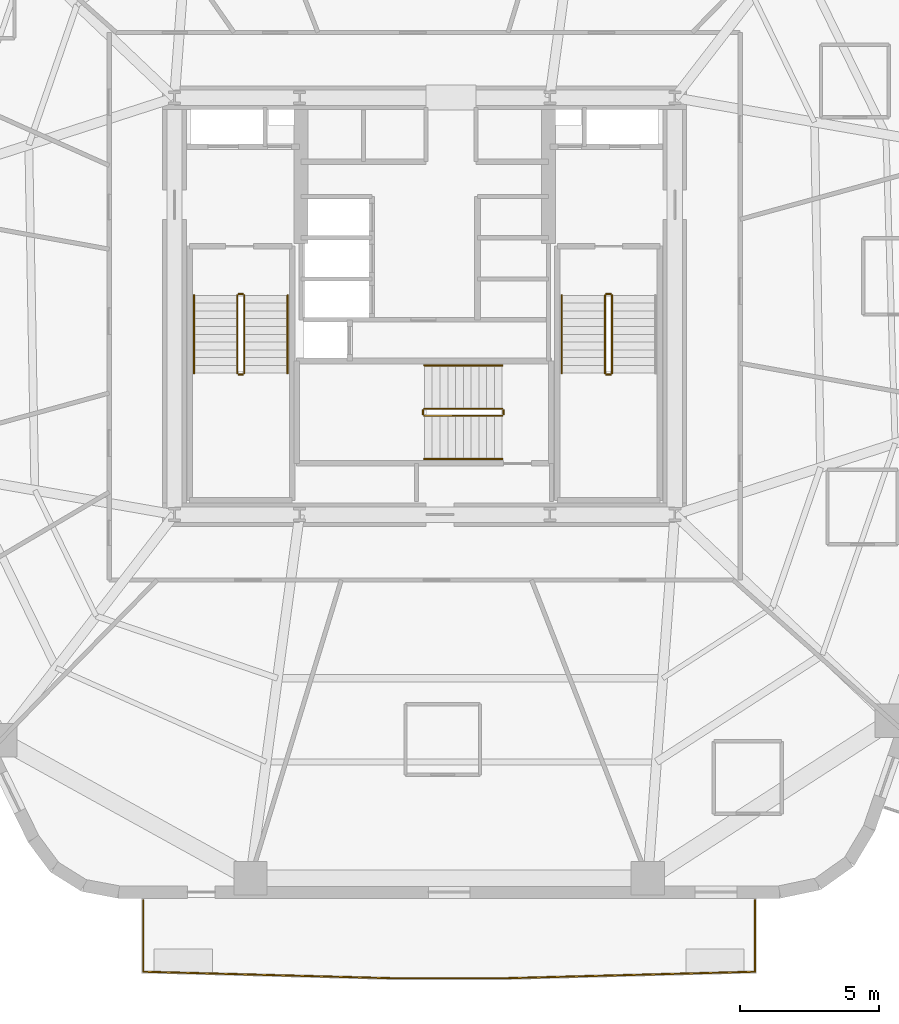
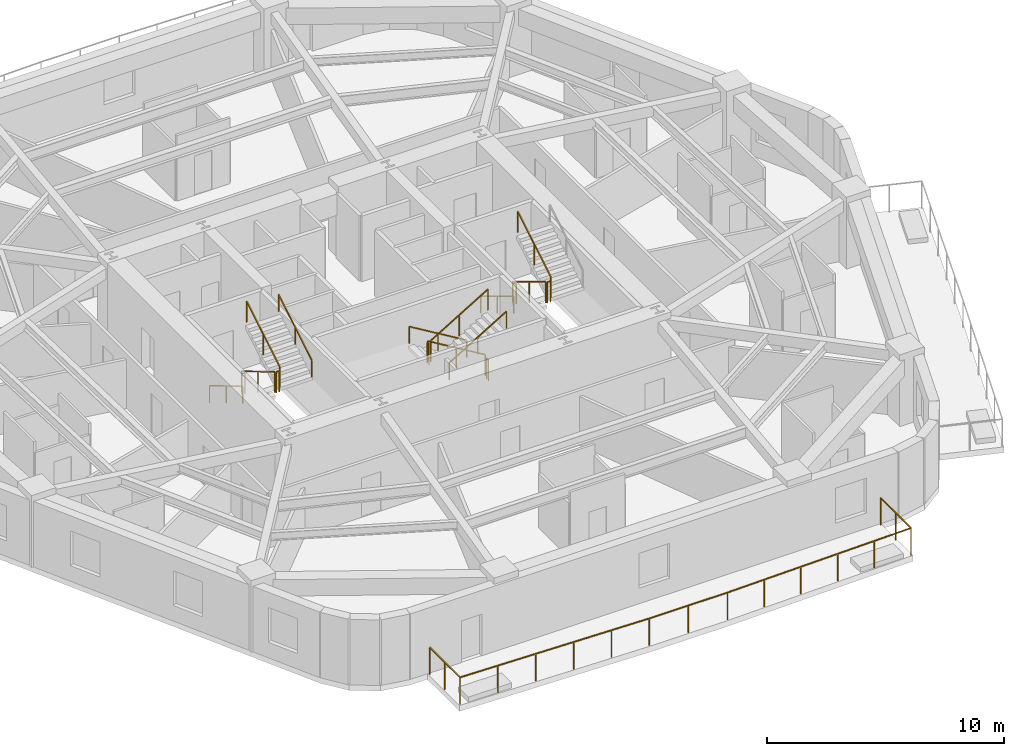
# One storey, part 7 of 8: 18 railings.
"""IFC4 building model written with IfcOpenShell, lengths in metres."""

from ifc_helpers import new_model, si_unit, direction, frame, origin, origin_2d, place, context, subcontext, project, spatial, rectangle, extrude, material, layer, layer_set, type_object, element, save


model = new_model("IFC4")

# Units and contexts
model_context = context("Model", 3, precision=1e-05, world=origin(), true_north=direction((0.0, 1.0)))
body_context = subcontext(model_context, "Body", "Model", "MODEL_VIEW")
ifc_project = project(units=[si_unit("LENGTHUNIT", "METRE"), si_unit("AREAUNIT", "SQUARE_METRE"), si_unit("VOLUMEUNIT", "CUBIC_METRE"), si_unit("PLANEANGLEUNIT", "RADIAN"), si_unit("MASSUNIT", "GRAM", prefix="KILO")], contexts=[model_context])

# Site, building, storey
site_placement = place(None, origin())
site = spatial("IfcSite", under=ifc_project, at=site_placement, CompositionType="ELEMENT")
building_placement = place(site_placement, origin())
building = spatial("IfcBuilding", under=site, at=building_placement, Name="Kilnhurst Terrace Hotel", CompositionType="ELEMENT")
storey_placement = place(building_placement, frame((0.0, 0.0, 135.800048828125)))
storey = spatial("IfcBuildingStorey", under=building, at=storey_placement, Name="L33", CompositionType="ELEMENT", Elevation=135.800048828125)

# Railings
ifc_material_1 = material(Name="Laminated SentryGlas and Stainless Steel AISI 316L Balustrade", Category="steel")
ifc_layer_1 = layer(ifc_material_1, 0.070068359375, Name="Laminated SentryGlas and Stainless Steel AISI 316L Balustrade")
ifc_layer_set_1 = layer_set([ifc_layer_1], Name="Laminated SentryGlas and Stainless Steel AISI 316L Balustrade")
railing_type_1 = type_object("IfcRailingType", Name="RLG-BAL-1420", PredefinedType="BALUSTRADE", material=ifc_layer_set_1)
railing_1_placement = place(storey_placement, frame((11.8837890625, -21.3798828125, 0.0)))
element("IfcRailing", 1, at=railing_1_placement, inside=storey, type_object=railing_type_1, Name="L33 Exterior Terrace Guardrail BAL-L1A.1", PredefinedType="BALUSTRADE", context=body_context, shape_type="SweptSolid", body=[
    extrude(rectangle(XDim=0.048095703125, YDim=0.048095703125, at=origin_2d()), frame((0.0, 0.0, 1.39599609375), z_axis=(0.0, -1.0, 0.0), x_axis=(1.0, 0.0, 0.0)), (0.0, 0.0, 1.0), 2.561767578125),
    extrude(rectangle(XDim=0.048095703125, YDim=0.048095703125, at=origin_2d()), frame((0.0, -2.561767578125, 1.39599609375), z_axis=(-0.999657105501, -0.026185328367, 0.0), x_axis=(0.026185328367, -0.999657105501, 0.0)), (0.0, 0.0, 1.0), 9.099853515625),
    extrude(rectangle(XDim=0.048095703125, YDim=0.048095703125, at=origin_2d()), frame((-9.0966796875, -2.800048828125, 1.39599609375), z_axis=(-1.0, 0.0, 0.0), x_axis=(0.0, -1.0, 0.0)), (0.0, 0.0, 1.0), 3.8134765625),
    extrude(rectangle(XDim=0.048095703125, YDim=0.048095703125, at=origin_2d()), frame((-12.91015625, -2.800048828125, 1.39599609375), z_axis=(-0.999657105501, 0.026185328367, 0.0), x_axis=(-0.026185328367, -0.999657105501, 0.0)), (0.0, 0.0, 1.0), 9.099853515625),
    extrude(rectangle(XDim=0.048095703125, YDim=0.048095703125, at=origin_2d()), frame((-22.0068359375, -2.561767578125, 1.39599609375), z_axis=(0.0, 1.0, 0.0), x_axis=(-1.0, 0.0, 0.0)), (0.0, 0.0, 1.0), 2.561767578125),
    extrude(rectangle(XDim=0.0419921875, YDim=0.0419921875, at=origin_2d()), origin(), (0.0, 0.0, 1.0), 1.371826171875),
    extrude(rectangle(XDim=0.0419921875, YDim=0.0419921875, at=origin_2d()), frame((0.0, -1.28076171875, 0.0)), (0.0, 0.0, 1.0), 1.371826171875),
    extrude(rectangle(XDim=0.0419921875, YDim=0.0419921875, at=origin_2d()), frame((0.0, -2.561767578125, 0.0)), (0.0, 0.0, 1.0), 1.371826171875),
    extrude(rectangle(XDim=0.0419921875, YDim=0.0419921875, at=origin_2d()), frame((-1.8193359375, -2.609375, 0.0)), (0.0, 0.0, 1.0), 1.371826171875),
    extrude(rectangle(XDim=0.0419921875, YDim=0.0419921875, at=origin_2d()), frame((-3.638671875, -2.656982421875, 0.0)), (0.0, 0.0, 1.0), 1.371826171875),
    extrude(rectangle(XDim=0.0419921875, YDim=0.0419921875, at=origin_2d()), frame((-5.4580078125, -2.704833984375, 0.0)), (0.0, 0.0, 1.0), 1.371826171875),
    extrude(rectangle(XDim=0.0419921875, YDim=0.0419921875, at=origin_2d()), frame((-7.27734375, -2.75244140625, 0.0)), (0.0, 0.0, 1.0), 1.371826171875),
    extrude(rectangle(XDim=0.0419921875, YDim=0.0419921875, at=origin_2d()), frame((-9.0966796875, -2.800048828125, 0.0)), (0.0, 0.0, 1.0), 1.371826171875),
    extrude(rectangle(XDim=0.0419921875, YDim=0.0419921875, at=origin_2d()), frame((-11.00341796875, -2.800048828125, 0.0)), (0.0, 0.0, 1.0), 1.371826171875),
    extrude(rectangle(XDim=0.0419921875, YDim=0.0419921875, at=origin_2d()), frame((-12.91015625, -2.800048828125, 0.0)), (0.0, 0.0, 1.0), 1.371826171875),
    extrude(rectangle(XDim=0.0419921875, YDim=0.0419921875, at=origin_2d()), frame((-14.7294921875, -2.75244140625, 0.0)), (0.0, 0.0, 1.0), 1.371826171875),
    extrude(rectangle(XDim=0.0419921875, YDim=0.0419921875, at=origin_2d()), frame((-16.548828125, -2.704833984375, 0.0)), (0.0, 0.0, 1.0), 1.371826171875),
    extrude(rectangle(XDim=0.0419921875, YDim=0.0419921875, at=origin_2d()), frame((-18.3681640625, -2.656982421875, 0.0)), (0.0, 0.0, 1.0), 1.371826171875),
    extrude(rectangle(XDim=0.0419921875, YDim=0.0419921875, at=origin_2d()), frame((-20.1875, -2.609375, 0.0)), (0.0, 0.0, 1.0), 1.371826171875),
    extrude(rectangle(XDim=0.0419921875, YDim=0.0419921875, at=origin_2d()), frame((-22.0068359375, -2.561767578125, 0.0)), (0.0, 0.0, 1.0), 1.371826171875),
    extrude(rectangle(XDim=0.0419921875, YDim=0.0419921875, at=origin_2d()), frame((-22.0068359375, -1.28076171875, 0.0)), (0.0, 0.0, 1.0), 1.371826171875),
    extrude(rectangle(XDim=0.0419921875, YDim=0.0419921875, at=origin_2d()), frame((-22.0068359375, 0.0, 0.0)), (0.0, 0.0, 1.0), 1.371826171875),
])
ifc_material_2 = material(Name="Powder-Coated Steel ASTM A500 Grade B", Category="steel")
ifc_layer_2 = layer(ifc_material_2, 0.050048828125, Name="Powder-Coated Steel ASTM A500 Grade B")
ifc_layer_set_2 = layer_set([ifc_layer_2], Name="Powder-Coated Steel ASTM A500 Grade B")
railing_type_2 = type_object("IfcRailingType", Name="RLG-ST-GRD-1100", PredefinedType="GUARDRAIL", material=ifc_layer_set_2)
railing_2_placement = place(storey_placement, frame((-6.739990234375, 0.389892578125, 0.168212890625)))
element("IfcRailing", 2, at=railing_2_placement, inside=storey, type_object=railing_type_2, Name="L33 ST-1 stair guard 1", PredefinedType="GUARDRAIL", context=body_context, shape_type="SweptSolid", body=[
    extrude(rectangle(XDim=0.048095703125, YDim=0.048095703125, at=origin_2d()), frame((0.0, 0.0, 1.076171875), z_axis=(0.0, -0.857255387014, 0.514891446264), x_axis=(1.0, 0.0, 0.0)), (0.0, 0.0, 1.0), 3.26611328125),
    extrude(rectangle(XDim=0.0419921875, YDim=0.0419921875, at=origin_2d()), origin(), (0.0, 0.0, 1.0), 1.052001953125),
    extrude(rectangle(XDim=0.0419921875, YDim=0.0419921875, at=origin_2d()), frame((0.0, -1.39990234375, 0.8408203125)), (0.0, 0.0, 1.0), 1.052001953125),
    extrude(rectangle(XDim=0.0419921875, YDim=0.0419921875, at=origin_2d()), frame((0.0, -2.7998046875, 1.681640625)), (0.0, 0.0, 1.0), 1.052001953125),
])
railing_3_placement = place(storey_placement, frame((-6.68994140625, -2.4599609375, 1.849853515625)))
element("IfcRailing", 3, at=railing_3_placement, inside=storey, type_object=railing_type_2, Name="L33 ST-1 stair guard 2", PredefinedType="GUARDRAIL", context=body_context, shape_type="SweptSolid", body=[
    extrude(rectangle(XDim=0.048095703125, YDim=0.048095703125, at=origin_2d()), frame((0.0, 0.0, 1.076171875), z_axis=(1.0, 0.0, 0.0), x_axis=(0.0, 1.0, 0.0)), (0.0, 0.0, 1.0), 0.14990234375),
    extrude(rectangle(XDim=0.0419921875, YDim=0.0419921875, at=origin_2d()), origin(), (0.0, 0.0, 1.0), 1.052001953125),
    extrude(rectangle(XDim=0.0419921875, YDim=0.0419921875, at=origin_2d()), frame((0.14990234375, 0.0, 0.0)), (0.0, 0.0, 1.0), 1.052001953125),
])
railing_4_placement = place(storey_placement, frame((-6.489990234375, -2.409912109375, 2.01806640625)))
element("IfcRailing", 4, at=railing_4_placement, inside=storey, type_object=railing_type_2, Name="L33 ST-1 stair guard 3", PredefinedType="GUARDRAIL", context=body_context, shape_type="SweptSolid", body=[
    extrude(rectangle(XDim=0.048095703125, YDim=0.048095703125, at=origin_2d()), frame((0.0, 0.0, 1.076171875), z_axis=(0.0, 0.857222391501, 0.514946377315), x_axis=(-1.0, 0.0, 0.0)), (0.0, 0.0, 1.0), 3.26611328125),
    extrude(rectangle(XDim=0.0419921875, YDim=0.0419921875, at=origin_2d()), origin(), (0.0, 0.0, 1.0), 1.052001953125),
    extrude(rectangle(XDim=0.0419921875, YDim=0.0419921875, at=origin_2d()), frame((0.0, 1.39990234375, 0.8408203125)), (0.0, 0.0, 1.0), 1.052001953125),
    extrude(rectangle(XDim=0.0419921875, YDim=0.0419921875, at=origin_2d()), frame((0.0, 2.7998046875, 1.681884765625)), (0.0, 0.0, 1.0), 1.052001953125),
])
railing_5_placement = place(storey_placement, frame((-6.68994140625, 0.43994140625, 0.0)))
element("IfcRailing", 5, at=railing_5_placement, inside=storey, type_object=railing_type_2, Name="L33 ST-1 stair guard 4", PredefinedType="GUARDRAIL", context=body_context, shape_type="SweptSolid", body=[
    extrude(rectangle(XDim=0.048095703125, YDim=0.048095703125, at=origin_2d()), frame((0.0, 0.0, 1.076171875), z_axis=(1.0, 0.0, 0.0), x_axis=(0.0, 1.0, 0.0)), (0.0, 0.0, 1.0), 0.14990234375),
    extrude(rectangle(XDim=0.0419921875, YDim=0.0419921875, at=origin_2d()), origin(), (0.0, 0.0, 1.0), 1.052001953125),
    extrude(rectangle(XDim=0.0419921875, YDim=0.0419921875, at=origin_2d()), frame((0.14990234375, 0.0, 0.0)), (0.0, 0.0, 1.0), 1.052001953125),
])
railing_6_placement = place(storey_placement, frame((6.489990234375, 0.389892578125, 0.168212890625)))
element("IfcRailing", 6, at=railing_6_placement, inside=storey, type_object=railing_type_2, Name="L33 ST-2 stair guard 1", PredefinedType="GUARDRAIL", context=body_context, shape_type="SweptSolid", body=[
    extrude(rectangle(XDim=0.048095703125, YDim=0.048095703125, at=origin_2d()), frame((0.0, 0.0, 1.076171875), z_axis=(0.0, -0.857255387014, 0.514891446264), x_axis=(1.0, 0.0, 0.0)), (0.0, 0.0, 1.0), 3.26611328125),
    extrude(rectangle(XDim=0.0419921875, YDim=0.0419921875, at=origin_2d()), origin(), (0.0, 0.0, 1.0), 1.052001953125),
    extrude(rectangle(XDim=0.0419921875, YDim=0.0419921875, at=origin_2d()), frame((0.0, -1.39990234375, 0.8408203125)), (0.0, 0.0, 1.0), 1.052001953125),
    extrude(rectangle(XDim=0.0419921875, YDim=0.0419921875, at=origin_2d()), frame((0.0, -2.7998046875, 1.681640625)), (0.0, 0.0, 1.0), 1.052001953125),
])
railing_7_placement = place(storey_placement, frame((6.5400390625, -2.4599609375, 1.849853515625)))
element("IfcRailing", 7, at=railing_7_placement, inside=storey, type_object=railing_type_2, Name="L33 ST-2 stair guard 2", PredefinedType="GUARDRAIL", context=body_context, shape_type="SweptSolid", body=[
    extrude(rectangle(XDim=0.048095703125, YDim=0.048095703125, at=origin_2d()), frame((0.0, 0.0, 1.076171875), z_axis=(1.0, 0.0, 0.0), x_axis=(0.0, 1.0, 0.0)), (0.0, 0.0, 1.0), 0.14990234375),
    extrude(rectangle(XDim=0.0419921875, YDim=0.0419921875, at=origin_2d()), origin(), (0.0, 0.0, 1.0), 1.052001953125),
    extrude(rectangle(XDim=0.0419921875, YDim=0.0419921875, at=origin_2d()), frame((0.14990234375, 0.0, 0.0)), (0.0, 0.0, 1.0), 1.052001953125),
])
railing_8_placement = place(storey_placement, frame((6.739990234375, -2.409912109375, 2.01806640625)))
element("IfcRailing", 8, at=railing_8_placement, inside=storey, type_object=railing_type_2, Name="L33 ST-2 stair guard 3", PredefinedType="GUARDRAIL", context=body_context, shape_type="SweptSolid", body=[
    extrude(rectangle(XDim=0.048095703125, YDim=0.048095703125, at=origin_2d()), frame((0.0, 0.0, 1.076171875), z_axis=(0.0, 0.857222391501, 0.514946377315), x_axis=(-1.0, 0.0, 0.0)), (0.0, 0.0, 1.0), 3.26611328125),
    extrude(rectangle(XDim=0.0419921875, YDim=0.0419921875, at=origin_2d()), origin(), (0.0, 0.0, 1.0), 1.052001953125),
    extrude(rectangle(XDim=0.0419921875, YDim=0.0419921875, at=origin_2d()), frame((0.0, 1.39990234375, 0.8408203125)), (0.0, 0.0, 1.0), 1.052001953125),
    extrude(rectangle(XDim=0.0419921875, YDim=0.0419921875, at=origin_2d()), frame((0.0, 2.7998046875, 1.681884765625)), (0.0, 0.0, 1.0), 1.052001953125),
])
railing_9_placement = place(storey_placement, frame((6.5400390625, 0.43994140625, 0.0)))
element("IfcRailing", 9, at=railing_9_placement, inside=storey, type_object=railing_type_2, Name="L33 ST-2 stair guard 4", PredefinedType="GUARDRAIL", context=body_context, shape_type="SweptSolid", body=[
    extrude(rectangle(XDim=0.048095703125, YDim=0.048095703125, at=origin_2d()), frame((0.0, 0.0, 1.076171875), z_axis=(1.0, 0.0, 0.0), x_axis=(0.0, 1.0, 0.0)), (0.0, 0.0, 1.0), 0.14990234375),
    extrude(rectangle(XDim=0.0419921875, YDim=0.0419921875, at=origin_2d()), origin(), (0.0, 0.0, 1.0), 1.052001953125),
    extrude(rectangle(XDim=0.0419921875, YDim=0.0419921875, at=origin_2d()), frame((0.14990234375, 0.0, 0.0)), (0.0, 0.0, 1.0), 1.052001953125),
])
railing_10_placement = place(storey_placement, frame((2.7900390625, -3.68994140625, 0.168212890625)))
element("IfcRailing", 10, at=railing_10_placement, inside=storey, type_object=railing_type_2, Name="L33 ST-3 stair guard 1", PredefinedType="GUARDRAIL", context=body_context, shape_type="SweptSolid", body=[
    extrude(rectangle(XDim=0.048095703125, YDim=0.048095703125, at=origin_2d()), frame((0.0, 0.0, 1.076171875), z_axis=(-0.857275202839, 0.0, 0.514858452973), x_axis=(0.0, -1.0, 0.0)), (0.0, 0.0, 1.0), 3.26611328125),
    extrude(rectangle(XDim=0.0419921875, YDim=0.0419921875, at=origin_2d()), origin(), (0.0, 0.0, 1.0), 1.052001953125),
    extrude(rectangle(XDim=0.0419921875, YDim=0.0419921875, at=origin_2d()), frame((-1.39990234375, 0.0, 0.8408203125)), (0.0, 0.0, 1.0), 1.052001953125),
    extrude(rectangle(XDim=0.0419921875, YDim=0.0419921875, at=origin_2d()), frame((-2.800048828125, 0.0, 1.681640625)), (0.0, 0.0, 1.0), 1.052001953125),
])
railing_11_placement = place(storey_placement, frame((-0.06005859375, -3.739990234375, 1.849853515625)))
element("IfcRailing", 11, at=railing_11_placement, inside=storey, type_object=railing_type_2, Name="L33 ST-3 stair guard 2", PredefinedType="GUARDRAIL", context=body_context, shape_type="SweptSolid", body=[
    extrude(rectangle(XDim=0.048095703125, YDim=0.048095703125, at=origin_2d()), frame((0.0, 0.0, 1.076171875), z_axis=(0.0, -1.0, 0.0), x_axis=(1.0, 0.0, 0.0)), (0.0, 0.0, 1.0), 0.14990234375),
    extrude(rectangle(XDim=0.0419921875, YDim=0.0419921875, at=origin_2d()), origin(), (0.0, 0.0, 1.0), 1.052001953125),
    extrude(rectangle(XDim=0.0419921875, YDim=0.0419921875, at=origin_2d()), frame((0.0, -0.14990234375, 0.0)), (0.0, 0.0, 1.0), 1.052001953125),
])
railing_12_placement = place(storey_placement, frame((-0.010009765625, -3.93994140625, 2.01806640625)))
element("IfcRailing", 12, at=railing_12_placement, inside=storey, type_object=railing_type_2, Name="L33 ST-3 stair guard 3", PredefinedType="GUARDRAIL", context=body_context, shape_type="SweptSolid", body=[
    extrude(rectangle(XDim=0.048095703125, YDim=0.048095703125, at=origin_2d()), frame((0.0, 0.0, 1.076171875), z_axis=(0.857242210791, 0.0, 0.514913383045), x_axis=(0.0, 1.0, 0.0)), (0.0, 0.0, 1.0), 3.266357421875),
    extrude(rectangle(XDim=0.0419921875, YDim=0.0419921875, at=origin_2d()), origin(), (0.0, 0.0, 1.0), 1.052001953125),
    extrude(rectangle(XDim=0.0419921875, YDim=0.0419921875, at=origin_2d()), frame((1.39990234375, 0.0, 0.8408203125)), (0.0, 0.0, 1.0), 1.052001953125),
    extrude(rectangle(XDim=0.0419921875, YDim=0.0419921875, at=origin_2d()), frame((2.800048828125, 0.0, 1.681884765625)), (0.0, 0.0, 1.0), 1.052001953125),
])
railing_13_placement = place(storey_placement, frame((2.840087890625, -3.739990234375, 0.0)))
element("IfcRailing", 13, at=railing_13_placement, inside=storey, type_object=railing_type_2, Name="L33 ST-3 stair guard 4", PredefinedType="GUARDRAIL", context=body_context, shape_type="SweptSolid", body=[
    extrude(rectangle(XDim=0.048095703125, YDim=0.048095703125, at=origin_2d()), frame((0.0, 0.0, 1.076171875), z_axis=(0.0, -1.0, 0.0), x_axis=(1.0, 0.0, 0.0)), (0.0, 0.0, 1.0), 0.14990234375),
    extrude(rectangle(XDim=0.0419921875, YDim=0.0419921875, at=origin_2d()), origin(), (0.0, 0.0, 1.0), 1.052001953125),
    extrude(rectangle(XDim=0.0419921875, YDim=0.0419921875, at=origin_2d()), frame((0.0, -0.14990234375, 0.0)), (0.0, 0.0, 1.0), 1.052001953125),
])
ifc_material_3 = material(Name="Brushed Stainless Steel AISI 304", Category="steel")
ifc_layer_3 = layer(ifc_material_3, 0.048095703125, Name="Brushed Stainless Steel AISI 304")
ifc_layer_set_3 = layer_set([ifc_layer_3], Name="Brushed Stainless Steel AISI 304")
railing_type_3 = type_object("IfcRailingType", Name="RLG-ST-HRL-900", PredefinedType="HANDRAIL", material=ifc_layer_set_3)
railing_14_placement = place(storey_placement, frame((-8.300048828125, 0.389892578125, 0.168212890625)))
element("IfcRailing", 14, at=railing_14_placement, inside=storey, type_object=railing_type_3, Name="L33 ST-1 stair handrail 1", PredefinedType="HANDRAIL", context=body_context, shape_type="SweptSolid", body=[
    extrude(rectangle(XDim=0.048095703125, YDim=0.048095703125, at=origin_2d()), frame((0.0, 0.0, 0.8759765625), z_axis=(0.0, -0.857255387014, 0.514891446264), x_axis=(1.0, 0.0, 0.0)), (0.0, 0.0, 1.0), 3.26611328125),
    extrude(rectangle(XDim=0.0419921875, YDim=0.0419921875, at=origin_2d()), origin(), (0.0, 0.0, 1.0), 0.851806640625),
    extrude(rectangle(XDim=0.0419921875, YDim=0.0419921875, at=origin_2d()), frame((0.0, -1.39990234375, 0.8408203125)), (0.0, 0.0, 1.0), 0.851806640625),
    extrude(rectangle(XDim=0.0419921875, YDim=0.0419921875, at=origin_2d()), frame((0.0, -2.7998046875, 1.681640625)), (0.0, 0.0, 1.0), 0.851806640625),
])
railing_15_placement = place(storey_placement, frame((-4.929931640625, -2.409912109375, 2.01806640625)))
element("IfcRailing", 15, at=railing_15_placement, inside=storey, type_object=railing_type_3, Name="L33 ST-1 stair handrail 2", PredefinedType="HANDRAIL", context=body_context, shape_type="SweptSolid", body=[
    extrude(rectangle(XDim=0.048095703125, YDim=0.048095703125, at=origin_2d()), frame((0.0, 0.0, 0.8759765625), z_axis=(0.0, 0.857222391501, 0.514946377315), x_axis=(-1.0, 0.0, 0.0)), (0.0, 0.0, 1.0), 3.26611328125),
    extrude(rectangle(XDim=0.0419921875, YDim=0.0419921875, at=origin_2d()), origin(), (0.0, 0.0, 1.0), 0.851806640625),
    extrude(rectangle(XDim=0.0419921875, YDim=0.0419921875, at=origin_2d()), frame((0.0, 1.39990234375, 0.8408203125)), (0.0, 0.0, 1.0), 0.851806640625),
    extrude(rectangle(XDim=0.0419921875, YDim=0.0419921875, at=origin_2d()), frame((0.0, 2.7998046875, 1.681884765625)), (0.0, 0.0, 1.0), 0.851806640625),
])
railing_16_placement = place(storey_placement, frame((4.929931640625, 0.389892578125, 0.168212890625)))
element("IfcRailing", 16, at=railing_16_placement, inside=storey, type_object=railing_type_3, Name="L33 ST-2 stair handrail 1", PredefinedType="HANDRAIL", context=body_context, shape_type="SweptSolid", body=[
    extrude(rectangle(XDim=0.048095703125, YDim=0.048095703125, at=origin_2d()), frame((0.0, 0.0, 0.8759765625), z_axis=(0.0, -0.857255387014, 0.514891446264), x_axis=(1.0, 0.0, 0.0)), (0.0, 0.0, 1.0), 3.26611328125),
    extrude(rectangle(XDim=0.0419921875, YDim=0.0419921875, at=origin_2d()), origin(), (0.0, 0.0, 1.0), 0.851806640625),
    extrude(rectangle(XDim=0.0419921875, YDim=0.0419921875, at=origin_2d()), frame((0.0, -1.39990234375, 0.8408203125)), (0.0, 0.0, 1.0), 0.851806640625),
    extrude(rectangle(XDim=0.0419921875, YDim=0.0419921875, at=origin_2d()), frame((0.0, -2.7998046875, 1.681640625)), (0.0, 0.0, 1.0), 0.851806640625),
])
railing_17_placement = place(storey_placement, frame((2.7900390625, -2.1298828125, 0.168212890625)))
element("IfcRailing", 17, at=railing_17_placement, inside=storey, type_object=railing_type_3, Name="L33 ST-3 stair handrail 1", PredefinedType="HANDRAIL", context=body_context, shape_type="SweptSolid", body=[
    extrude(rectangle(XDim=0.048095703125, YDim=0.048095703125, at=origin_2d()), frame((0.0, 0.0, 0.8759765625), z_axis=(-0.857275202839, 0.0, 0.514858452973), x_axis=(0.0, -1.0, 0.0)), (0.0, 0.0, 1.0), 3.26611328125),
    extrude(rectangle(XDim=0.0419921875, YDim=0.0419921875, at=origin_2d()), origin(), (0.0, 0.0, 1.0), 0.851806640625),
    extrude(rectangle(XDim=0.0419921875, YDim=0.0419921875, at=origin_2d()), frame((-1.39990234375, 0.0, 0.8408203125)), (0.0, 0.0, 1.0), 0.851806640625),
    extrude(rectangle(XDim=0.0419921875, YDim=0.0419921875, at=origin_2d()), frame((-2.800048828125, 0.0, 1.681640625)), (0.0, 0.0, 1.0), 0.851806640625),
])
railing_18_placement = place(storey_placement, frame((-0.010009765625, -5.5, 2.01806640625)))
element("IfcRailing", 18, at=railing_18_placement, inside=storey, type_object=railing_type_3, Name="L33 ST-3 stair handrail 2", PredefinedType="HANDRAIL", context=body_context, shape_type="SweptSolid", body=[
    extrude(rectangle(XDim=0.048095703125, YDim=0.048095703125, at=origin_2d()), frame((0.0, 0.0, 0.8759765625), z_axis=(0.857242210791, 0.0, 0.514913383045), x_axis=(0.0, 1.0, 0.0)), (0.0, 0.0, 1.0), 3.266357421875),
    extrude(rectangle(XDim=0.0419921875, YDim=0.0419921875, at=origin_2d()), origin(), (0.0, 0.0, 1.0), 0.851806640625),
    extrude(rectangle(XDim=0.0419921875, YDim=0.0419921875, at=origin_2d()), frame((1.39990234375, 0.0, 0.8408203125)), (0.0, 0.0, 1.0), 0.851806640625),
    extrude(rectangle(XDim=0.0419921875, YDim=0.0419921875, at=origin_2d()), frame((2.800048828125, 0.0, 1.681884765625)), (0.0, 0.0, 1.0), 0.851806640625),
])

save(model, "model.ifc")
